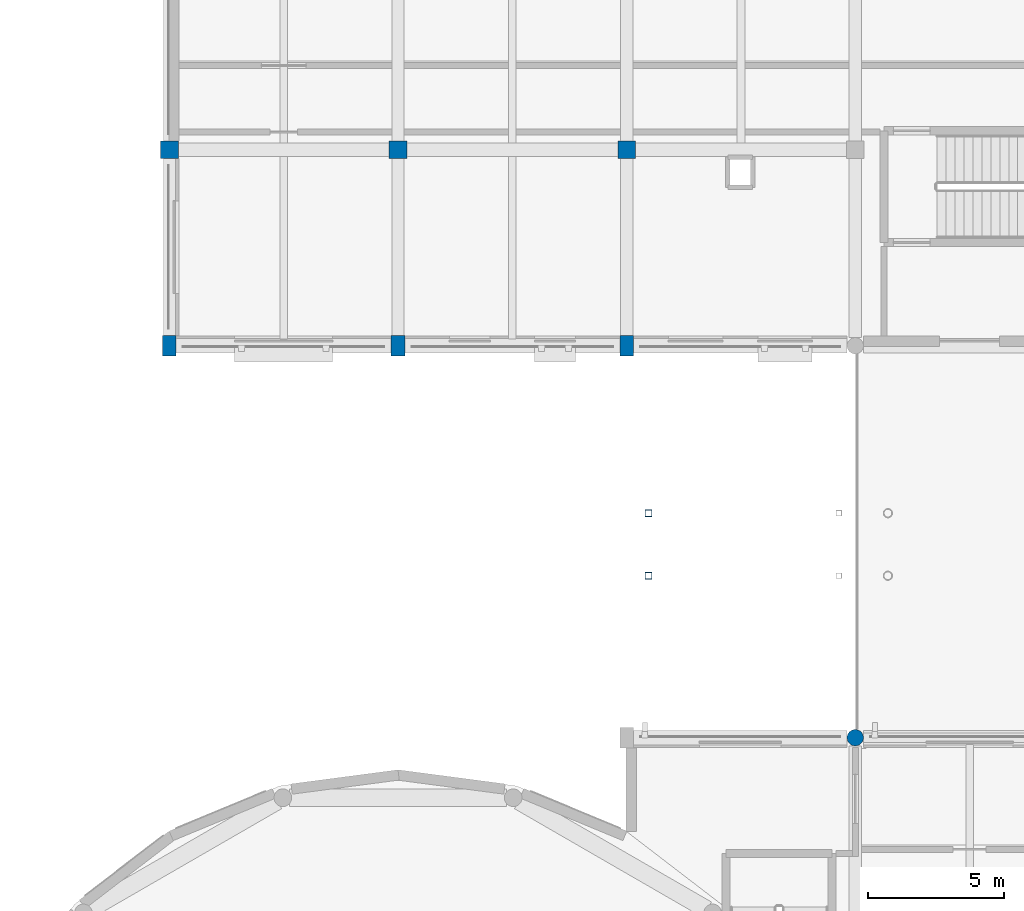
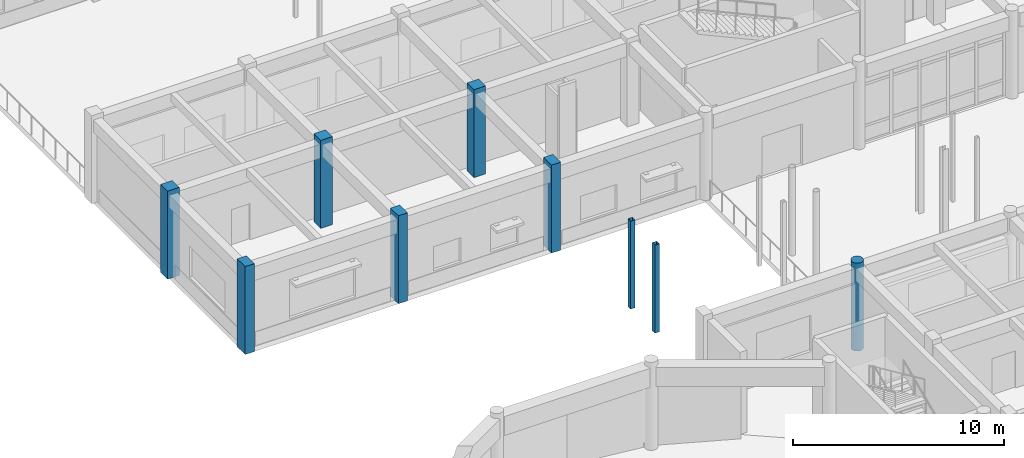
# One storey, part 2 of 121: 9 columns.
"""IFC4 building model written with IfcOpenShell, lengths in metres."""

from ifc_helpers import new_model, si_unit, direction, frame, origin, origin_2d, place, context, subcontext, project, spatial, rectangle, hollow_rectangle, circle, extrude, material, material_profile, profile_set, type_object, element, save


model = new_model("IFC4")

# Units and contexts
model_context = context("Model", 3, precision=1e-05, world=origin(), true_north=direction((0.0, 1.0)))
body_context = subcontext(model_context, "Body", "Model", "MODEL_VIEW")
ifc_project = project(units=[si_unit("LENGTHUNIT", "METRE"), si_unit("AREAUNIT", "SQUARE_METRE"), si_unit("VOLUMEUNIT", "CUBIC_METRE"), si_unit("PLANEANGLEUNIT", "RADIAN"), si_unit("MASSUNIT", "GRAM", prefix="KILO")], contexts=[model_context])

# Site, building, storey
site_placement = place(None, origin())
site = spatial("IfcSite", under=ifc_project, at=site_placement, CompositionType="ELEMENT")
building_placement = place(site_placement, origin())
building = spatial("IfcBuilding", under=site, at=building_placement, Name="Malvenik Polytechnic", CompositionType="ELEMENT")
storey_placement = place(building_placement, origin())
storey = spatial("IfcBuildingStorey", under=building, at=storey_placement, Name="L00", CompositionType="ELEMENT", Elevation=0.0)

# Columns
ifc_material_1 = material(Name="Concrete C35/45", Category="concrete")
ifc_material_profile_1 = material_profile(ifc_material_1, rectangle(XDim=0.64990234375, YDim=0.64990234375, at=origin_2d()), Name="RC COL 650x650")
ifc_profile_set_1 = profile_set([ifc_material_profile_1], Name="Concrete C35/45")
column_type_1 = type_object("IfcColumnType", Name="STR-COL-C-05", PredefinedType="COLUMN", material=ifc_profile_set_1)
for number, where, z_axis, x_axis, name in (
    (1, (8.39990234375, 57.60009765625, 0.0), (0.0, 0.0, 1.0), (1.0, 0.0, 0.0), "Column C-05 L00 (8.4,57.6)"),
    (2, (16.800048828125, 57.60009765625, 0.0), (0.0, 0.0, 1.0), (1.0, 0.0, 0.0), "Column C-05 L00 (16.8,57.6)"),
    (3, (25.199951171875, 57.60009765625, 0.0), (0.0, 0.0, 1.0), (1.0, 0.0, 0.0), "Column C-05 L00 (25.2,57.6)"),
):
    element("IfcColumn", number, at=place(storey_placement, frame(where, z_axis=z_axis, x_axis=x_axis)), inside=storey, type_object=column_type_1, Name=name, PredefinedType="COLUMN", context=body_context, shape_type="SweptSolid", body=[
        extrude(rectangle(XDim=0.64990234375, YDim=0.64990234375, at=origin_2d()), origin(), (0.0, 0.0, 1.0), 5.10009765625),
    ])
ifc_material_profile_2 = material_profile(ifc_material_1, rectangle(XDim=0.5, YDim=0.75, at=origin_2d()), Name="RC COL 750x500")
ifc_profile_set_2 = profile_set([ifc_material_profile_2], Name="Concrete C35/45")
column_type_2 = type_object("IfcColumnType", Name="STR-COL-C-14", PredefinedType="COLUMN", material=ifc_profile_set_2)
for number, where, z_axis, x_axis, name in (
    (4, (8.39990234375, 50.39990234375, 0.0), (0.0, 0.0, 1.0), (1.0, 0.0, 0.0), "Column C-14 L00 (8.4,50.4)"),
    (5, (16.800048828125, 50.39990234375, 0.0), (0.0, 0.0, 1.0), (1.0, 0.0, 0.0), "Column C-14 L00 (16.8,50.4)"),
    (6, (25.199951171875, 50.39990234375, 0.0), (0.0, 0.0, 1.0), (1.0, 0.0, 0.0), "Column C-14 L00 (25.2,50.4)"),
):
    element("IfcColumn", number, at=place(storey_placement, frame(where, z_axis=z_axis, x_axis=x_axis)), inside=storey, type_object=column_type_2, Name=name, PredefinedType="COLUMN", context=body_context, shape_type="SweptSolid", body=[
        extrude(rectangle(XDim=0.5, YDim=0.75, at=origin_2d()), origin(), (0.0, 0.0, 1.0), 5.10009765625),
    ])
ifc_material_profile_3 = material_profile(ifc_material_1, circle(Radius=0.300048828125, at=origin_2d()), Name="RC COL D600")
ifc_profile_set_3 = profile_set([ifc_material_profile_3], Name="Concrete C35/45")
column_type_3 = type_object("IfcColumnType", Name="STR-COL-C-18", PredefinedType="COLUMN", material=ifc_profile_set_3)
column_placement = place(storey_placement, frame((33.60009765625, 36.0, 0.0), z_axis=(0.0, 0.0, 1.0), x_axis=(1.0, 0.0, 0.0)))
element("IfcColumn", 7, at=column_placement, inside=storey, type_object=column_type_3, Name="Column C-18 L00 (33.6,36.0)", PredefinedType="COLUMN", context=body_context, shape_type="SweptSolid", body=[
    extrude(circle(Radius=0.300048828125, at=origin_2d()), origin(), (0.0, 0.0, 1.0), 5.10009765625),
])
ifc_material_2 = material(Name="Steel S355J2H", Category="steel")
ifc_material_profile_4 = material_profile(ifc_material_2, hollow_rectangle(XDim=0.25, YDim=0.25, WallThickness=0.010009765625, at=origin_2d()), Name="SHS 250x250x10.0")
ifc_profile_set_4 = profile_set([ifc_material_profile_4], Name="Steel S355J2H")
column_type_4 = type_object("IfcColumnType", Name="STR-SCOL-SC-01", PredefinedType="COLUMN", material=ifc_profile_set_4)
for number, where, z_axis, x_axis, name in (
    (8, (26.0, 41.949951171875, 0.0), (0.0, 0.0, 1.0), (1.0, 0.0, 0.0), "Bridge-Ramp Support Column SC-01 L00"),
    (9, (26.0, 44.25, 0.0), (0.0, 0.0, 1.0), (1.0, 0.0, 0.0), "Bridge-Ramp Support Column SC-01 L00"),
):
    element("IfcColumn", number, at=place(storey_placement, frame(where, z_axis=z_axis, x_axis=x_axis)), inside=storey, type_object=column_type_4, Name=name, PredefinedType="COLUMN", context=body_context, shape_type="SweptSolid", body=[
        extrude(hollow_rectangle(XDim=0.25, YDim=0.25, WallThickness=0.010009765625, at=origin_2d()), origin(), (0.0, 0.0, 1.0), 5.10009765625),
    ])

save(model, "model.ifc")
